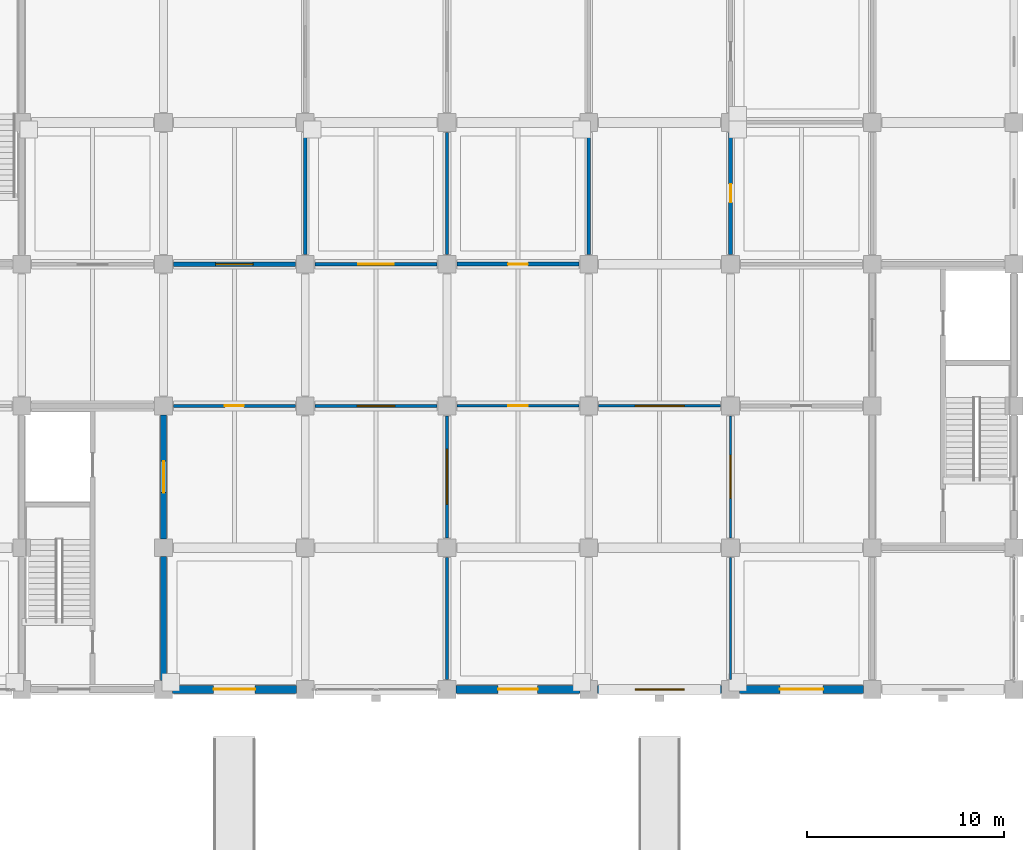
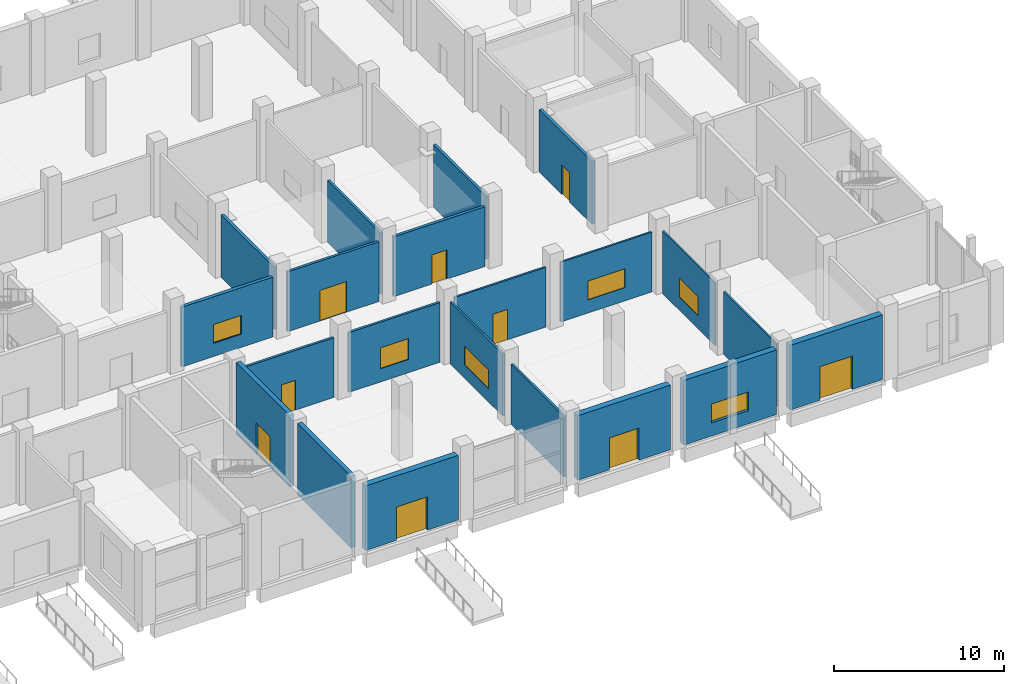
# One storey, part 50 of 70: 21 walls, 9 doors, 6 windows, 15 openings.
"""IFC4 building model written with IfcOpenShell, lengths in metres."""

from ifc_helpers import new_model, si_unit, direction, frame, frame_2d, origin, place, context, subcontext, project, spatial, rectangle, extrude, material, layer, layer_set, type_object, element, fill, save


model = new_model("IFC4")

# Units and contexts
model_context = context("Model", 3, precision=1e-05, world=origin(), true_north=direction((0.0, 1.0)))
body_context = subcontext(model_context, "Body", "Model", "MODEL_VIEW")
ifc_project = project(units=[si_unit("LENGTHUNIT", "METRE"), si_unit("AREAUNIT", "SQUARE_METRE"), si_unit("VOLUMEUNIT", "CUBIC_METRE"), si_unit("PLANEANGLEUNIT", "RADIAN"), si_unit("MASSUNIT", "GRAM", prefix="KILO")], contexts=[model_context])

# Site, building, storey
site_placement = place(None, origin())
site = spatial("IfcSite", under=ifc_project, at=site_placement, CompositionType="ELEMENT")
building_placement = place(site_placement, origin())
building = spatial("IfcBuilding", under=site, at=building_placement, Name="Vesperath Aquatics Centre", CompositionType="ELEMENT")
storey_placement = place(building_placement, origin())
storey = spatial("IfcBuildingStorey", under=building, at=storey_placement, Name="L00", CompositionType="ELEMENT", Elevation=0.0)

# Wall, opening, door
ifc_material_1 = material(Name="Liaoning grey granite ashlar insulated cavity wall", Category="masonry")
ifc_layer_1 = layer(ifc_material_1, 0.419921875)
ifc_layer_set_1 = layer_set([ifc_layer_1], Name="Liaoning grey granite ashlar insulated cavity wall")
wall_type_1 = type_object("IfcWallType", Name="WL-EW01", PredefinedType="SOLIDWALL", material=ifc_layer_set_1)
wall_1_placement = place(storey_placement, frame((130.050048828125, 0.0, 0.0), z_axis=(0.0, 0.0, 1.0), x_axis=(1.0, 0.0, 0.0)))
wall_1 = element("IfcWall", 1, at=wall_1_placement, inside=storey, type_object=wall_type_1, Name="Exterior Wall EW01 L00_S_18_00", PredefinedType="SOLIDWALL", context=body_context, shape_type="SweptSolid", body=[
    extrude(rectangle(XDim=6.300048828125, YDim=0.419921875, at=frame_2d((3.14990234375, 0.0))), origin(), (0.0, 0.0, 1.0), 4.639892578125),
])
opening_1_placement = place(wall_1_placement, frame((2.10009765625, 0.0, 0.0)))
opening_1 = element("IfcOpeningElement", 2, at=opening_1_placement, cuts=wall_1, Name="Opening EX02", PredefinedType="OPENING", context=body_context, shape_type="SweptSolid", body=[
    extrude(rectangle(XDim=2.10009765625, YDim=2.39990234375, at=frame_2d((1.050048828125, 1.199951171875))), frame((0.0, 0.224853515625, 0.0), z_axis=(0.0, -1.0, 0.0), x_axis=(1.0, 0.0, 0.0)), (0.0, 0.0, 1.0), 0.44970703125),
])
ifc_material_2 = material(Name="Thermally broken bronze-anodised glazed aluminium door", Category="aluminium")
door_type_1 = type_object("IfcDoorType", Name="DR-EX02", OperationType="DOUBLE_SWING_LEFT", PredefinedType="DOOR", material=ifc_material_2)
door_1_placement = place(opening_1_placement, frame((2.10009765625, 0.0, 0.0), z_axis=(0.0, 0.0, 1.0), x_axis=(-1.0, 0.0, 0.0)))
door_1 = element("IfcDoor", 3, at=door_1_placement, inside=storey, type_object=door_type_1, Name="Final Exit Door EX02 L00_S_18_00", OperationType="DOUBLE_SWING_LEFT", OverallHeight=2.39990234375, OverallWidth=2.10009765625, PredefinedType="DOOR", context=body_context, shape_type="SweptSolid", body=[
    extrude(rectangle(XDim=2.10009765625, YDim=2.39990234375, at=frame_2d((1.050048828125, 1.199951171875))), frame((0.0, 0.02490234375, 0.0), z_axis=(0.0, -1.0, 0.0), x_axis=(1.0, 0.0, 0.0)), (0.0, 0.0, 1.0), 0.050048828125),
])
fill(opening_1, door_1)

wall_2_placement = place(storey_placement, frame((144.449951171875, 0.0, 0.0), z_axis=(0.0, 0.0, 1.0), x_axis=(1.0, 0.0, 0.0)))
wall_2 = element("IfcWall", 4, at=wall_2_placement, inside=storey, type_object=wall_type_1, Name="Exterior Wall EW01 L00_S_20_00", PredefinedType="SOLIDWALL", context=body_context, shape_type="SweptSolid", body=[
    extrude(rectangle(XDim=6.300048828125, YDim=0.419921875, at=frame_2d((3.14990234375, 0.0))), origin(), (0.0, 0.0, 1.0), 4.639892578125),
])
opening_2_placement = place(wall_2_placement, frame((2.14990234375, 0.0, 0.0)))
opening_2 = element("IfcOpeningElement", 5, at=opening_2_placement, cuts=wall_2, Name="Opening EX03", PredefinedType="OPENING", context=body_context, shape_type="SweptSolid", body=[
    extrude(rectangle(XDim=2.0, YDim=2.300048828125, at=frame_2d((1.0, 1.14990234375))), frame((0.0, 0.224853515625, 0.0), z_axis=(0.0, -1.0, 0.0), x_axis=(1.0, 0.0, 0.0)), (0.0, 0.0, 1.0), 0.44970703125),
])
door_type_2 = type_object("IfcDoorType", Name="DR-EX03", OperationType="DOUBLE_SWING_LEFT", PredefinedType="DOOR", material=ifc_material_2)
door_2_placement = place(opening_2_placement, frame((2.0, 0.0, 0.0), z_axis=(0.0, 0.0, 1.0), x_axis=(-1.0, 0.0, 0.0)))
door_2 = element("IfcDoor", 6, at=door_2_placement, inside=storey, type_object=door_type_2, Name="Final Exit Door EX03 L00_S_20_00", OperationType="DOUBLE_SWING_LEFT", OverallHeight=2.300048828125, OverallWidth=2.0, PredefinedType="DOOR", context=body_context, shape_type="SweptSolid", body=[
    extrude(rectangle(XDim=2.0, YDim=2.300048828125, at=frame_2d((1.0, 1.14990234375))), frame((0.0, 0.02490234375, 0.0), z_axis=(0.0, -1.0, 0.0), x_axis=(1.0, 0.0, 0.0)), (0.0, 0.0, 1.0), 0.050048828125),
])
fill(opening_2, door_2)

# Wall, opening, window
wall_3_placement = place(storey_placement, frame((151.64990234375, 0.0, 0.0), z_axis=(0.0, 0.0, 1.0), x_axis=(1.0, 0.0, 0.0)))
wall_3 = element("IfcWall", 7, at=wall_3_placement, inside=storey, type_object=wall_type_1, Name="Exterior Wall EW01 L00_S_21_00", PredefinedType="SOLIDWALL", context=body_context, shape_type="SweptSolid", body=[
    extrude(rectangle(XDim=6.300048828125, YDim=0.419921875, at=frame_2d((3.14990234375, 0.0))), origin(), (0.0, 0.0, 1.0), 4.639892578125),
])
opening_3_placement = place(wall_3_placement, frame((1.89990234375, 0.0, 0.949951171875)))
opening_3 = element("IfcOpeningElement", 8, at=opening_3_placement, cuts=wall_3, Name="Opening W16", PredefinedType="OPENING", context=body_context, shape_type="SweptSolid", body=[
    extrude(rectangle(XDim=2.5, YDim=1.35009765625, at=frame_2d((1.25, 0.675048828125))), frame((0.0, 0.224853515625, 0.0), z_axis=(0.0, -1.0, 0.0), x_axis=(1.0, 0.0, 0.0)), (0.0, 0.0, 1.0), 0.44970703125),
])
ifc_material_3 = material(Name="Thermally broken aluminium triple-glazed window", Category="aluminium")
window_type_1 = type_object("IfcWindowType", Name="WN-W16", PartitioningType="SINGLE_PANEL", PredefinedType="WINDOW", material=ifc_material_3)
window_1_placement = place(opening_3_placement, origin())
window_1 = element("IfcWindow", 9, at=window_1_placement, inside=storey, type_object=window_type_1, Name="Deep-Reveal Casement Window W16 L00_S_21_00", OverallHeight=1.35009765625, OverallWidth=2.5, PartitioningType="SINGLE_PANEL", PredefinedType="WINDOW", context=body_context, shape_type="SweptSolid", body=[
    extrude(rectangle(XDim=2.5, YDim=1.35009765625, at=frame_2d((1.25, 0.675048828125))), frame((0.0, 0.030029296875, 0.0), z_axis=(0.0, -1.0, 0.0), x_axis=(1.0, 0.0, 0.0)), (0.0, 0.0, 1.0), 0.06005859375),
])
fill(opening_3, window_1)

# Wall, opening, door
wall_4_placement = place(storey_placement, frame((158.85009765625, 0.0, 0.0), z_axis=(0.0, 0.0, 1.0), x_axis=(1.0, 0.0, 0.0)))
wall_4 = element("IfcWall", 10, at=wall_4_placement, inside=storey, type_object=wall_type_1, Name="Exterior Wall EW01 L00_S_22_00", PredefinedType="SOLIDWALL", context=body_context, shape_type="SweptSolid", body=[
    extrude(rectangle(XDim=6.2998046875, YDim=0.419921875, at=frame_2d((3.14990234375, 0.0))), origin(), (0.0, 0.0, 1.0), 4.639892578125),
])
opening_4_placement = place(wall_4_placement, frame((2.050048828125, 0.0, 0.0)))
opening_4 = element("IfcOpeningElement", 11, at=opening_4_placement, cuts=wall_4, Name="Opening EX01", PredefinedType="OPENING", context=body_context, shape_type="SweptSolid", body=[
    extrude(rectangle(XDim=2.199951171875, YDim=2.39990234375, at=frame_2d((1.10009765625, 1.199951171875))), frame((0.0, 0.224853515625, 0.0), z_axis=(0.0, -1.0, 0.0), x_axis=(1.0, 0.0, 0.0)), (0.0, 0.0, 1.0), 0.44970703125),
])
door_type_3 = type_object("IfcDoorType", Name="DR-EX01", OperationType="DOUBLE_SWING_LEFT", PredefinedType="DOOR", material=ifc_material_2)
door_3_placement = place(opening_4_placement, frame((2.199951171875, 0.0, 0.0), z_axis=(0.0, 0.0, 1.0), x_axis=(-1.0, 0.0, 0.0)))
door_3 = element("IfcDoor", 12, at=door_3_placement, inside=storey, type_object=door_type_3, Name="Final Exit Door EX01 L00_S_22_00", OperationType="DOUBLE_SWING_LEFT", OverallHeight=2.39990234375, OverallWidth=2.199951171875, PredefinedType="DOOR", context=body_context, shape_type="SweptSolid", body=[
    extrude(rectangle(XDim=2.199951171875, YDim=2.39990234375, at=frame_2d((1.10009765625, 1.199951171875))), frame((0.0, 0.02490234375, 0.0), z_axis=(0.0, -1.0, 0.0), x_axis=(1.0, 0.0, 0.0)), (0.0, 0.0, 1.0), 0.050048828125),
])
fill(opening_4, door_3)

# Wall, opening, window
ifc_material_4 = material(Name="Autoclaved aerated masonry blockwork", Category="masonry")
ifc_layer_2 = layer(ifc_material_4, 0.22998046875)
ifc_layer_set_2 = layer_set([ifc_layer_2], Name="Autoclaved aerated masonry blockwork")
wall_type_2 = type_object("IfcWallType", Name="WL-FW01", PredefinedType="SOLIDWALL", material=ifc_layer_set_2)
wall_5_placement = place(storey_placement, frame((130.10009765625, 21.60009765625, 0.0), z_axis=(0.0, 0.0, 1.0), x_axis=(1.0, 0.0, 0.0)))
wall_5 = element("IfcWall", 13, at=wall_5_placement, inside=storey, type_object=wall_type_2, Name="Interior Partition FW01 L00_KITCH-S2", PredefinedType="SOLIDWALL", context=body_context, shape_type="SweptSolid", body=[
    extrude(rectangle(XDim=6.199951171875, YDim=0.22998046875, at=frame_2d((3.10009765625, 0.0))), origin(), (0.0, 0.0, 1.0), 4.2900390625),
])
opening_5_placement = place(wall_5_placement, frame((2.14990234375, 0.0, 0.949951171875)))
opening_5 = element("IfcOpeningElement", 14, at=opening_5_placement, cuts=wall_5, Name="Opening VW08", PredefinedType="OPENING", context=body_context, shape_type="SweptSolid", body=[
    extrude(rectangle(XDim=1.89990234375, YDim=1.35009765625, at=frame_2d((0.949951171875, 0.675048828125))), frame((0.0, 0.1298828125, 0.0), z_axis=(0.0, -1.0, 0.0), x_axis=(1.0, 0.0, 0.0)), (0.0, 0.0, 1.0), 0.259765625),
])
ifc_material_5 = material(Name="Acoustic laminated interior viewing glazing", Category="glass")
window_type_2 = type_object("IfcWindowType", Name="WN-IW08", PartitioningType="SINGLE_PANEL", PredefinedType="WINDOW", material=ifc_material_5)
window_2_placement = place(opening_5_placement, origin())
window_2 = element("IfcWindow", 15, at=window_2_placement, inside=storey, type_object=window_type_2, Name="Interior Viewing Window VW08 L00_KITCH", OverallHeight=1.35009765625, OverallWidth=1.89990234375, PartitioningType="SINGLE_PANEL", PredefinedType="WINDOW", context=body_context, shape_type="SweptSolid", body=[
    extrude(rectangle(XDim=1.89990234375, YDim=1.35009765625, at=frame_2d((0.949951171875, 0.675048828125))), frame((0.0, 0.030029296875, 0.0), z_axis=(0.0, -1.0, 0.0), x_axis=(1.0, 0.0, 0.0)), (0.0, 0.0, 1.0), 0.06005859375),
])
fill(opening_5, window_2)

# Wall, opening, door
ifc_material_6 = material(Name="Wet-village masonry block wall", Category="masonry")
ifc_layer_3 = layer(ifc_material_6, 0.199951171875)
ifc_layer_set_3 = layer_set([ifc_layer_3], Name="Wet-village masonry block wall")
wall_type_3 = type_object("IfcWallType", Name="WL-FW03", PredefinedType="SOLIDWALL", material=ifc_layer_set_3)
wall_6_placement = place(storey_placement, frame((158.39990234375, 22.10009765625, 0.0), z_axis=(0.0, 0.0, 1.0), x_axis=(0.0, 1.0, 0.0)))
wall_6 = element("IfcWall", 16, at=wall_6_placement, inside=storey, type_object=wall_type_3, Name="Interior Partition FW03 L00_MWC-W1", PredefinedType="SOLIDWALL", context=body_context, shape_type="SweptSolid", body=[
    extrude(rectangle(XDim=6.199951171875, YDim=0.199951171875, at=frame_2d((3.10009765625, 0.0))), origin(), (0.0, 0.0, 1.0), 4.489990234375),
])
opening_6_placement = place(wall_6_placement, frame((2.639892578125, 0.0, 0.0)))
opening_6 = element("IfcOpeningElement", 17, at=opening_6_placement, cuts=wall_6, Name="Opening D08", PredefinedType="OPENING", context=body_context, shape_type="SweptSolid", body=[
    extrude(rectangle(XDim=0.919921875, YDim=2.10009765625, at=frame_2d((0.4599609375, 1.050048828125))), frame((0.0, 0.11474609375, 0.0), z_axis=(0.0, -1.0, 0.0), x_axis=(1.0, 0.0, 0.0)), (0.0, 0.0, 1.0), 0.229736328125),
])
ifc_material_7 = material(Name="Moisture-resistant HPL washroom door", Category="wood")
door_type_4 = type_object("IfcDoorType", Name="DR-WC03", OperationType="NOTDEFINED", PredefinedType="DOOR", material=ifc_material_7)
door_4_placement = place(opening_6_placement, frame((0.919921875, 0.0, 0.0), z_axis=(0.0, 0.0, 1.0), x_axis=(-1.0, 0.0, 0.0)))
door_4 = element("IfcDoor", 18, at=door_4_placement, inside=storey, type_object=door_type_4, Name="Public Male WC L00 Door D08", OperationType="SINGLE_SWING_LEFT", OverallHeight=2.10009765625, OverallWidth=0.919921875, PredefinedType="DOOR", context=body_context, shape_type="SweptSolid", body=[
    extrude(rectangle(XDim=0.919921875, YDim=2.10009765625, at=frame_2d((0.4599609375, 1.050048828125))), frame((0.0, 0.02490234375, 0.0), z_axis=(0.0, -1.0, 0.0), x_axis=(1.0, 0.0, 0.0)), (0.0, 0.0, 1.0), 0.050048828125),
])
fill(opening_6, door_4)

wall_7_placement = place(storey_placement, frame((144.5, 21.60009765625, 0.0), z_axis=(0.0, 0.0, 1.0), x_axis=(1.0, 0.0, 0.0)))
wall_7 = element("IfcWall", 19, at=wall_7_placement, inside=storey, type_object=wall_type_3, Name="Interior Partition FW03 L00_AWC-S1", PredefinedType="SOLIDWALL", context=body_context, shape_type="SweptSolid", body=[
    extrude(rectangle(XDim=6.199951171875, YDim=0.199951171875, at=frame_2d((3.10009765625, 0.0))), origin(), (0.0, 0.0, 1.0), 4.2900390625),
])
opening_7_placement = place(wall_7_placement, frame((2.60009765625, 0.0, 0.0)))
opening_7 = element("IfcOpeningElement", 20, at=opening_7_placement, cuts=wall_7, Name="Opening D06", PredefinedType="OPENING", context=body_context, shape_type="SweptSolid", body=[
    extrude(rectangle(XDim=1.0, YDim=2.10009765625, at=frame_2d((0.5, 1.050048828125))), frame((0.0, 0.11474609375, 0.0), z_axis=(0.0, -1.0, 0.0), x_axis=(1.0, 0.0, 0.0)), (0.0, 0.0, 1.0), 0.229736328125),
])
ifc_material_8 = material(Name="Moisture-resistant HPL accessible toilet door", Category="wood")
door_type_5 = type_object("IfcDoorType", Name="DR-WC01", OperationType="NOTDEFINED", PredefinedType="DOOR", material=ifc_material_8)
door_5_placement = place(opening_7_placement, origin())
door_5 = element("IfcDoor", 21, at=door_5_placement, inside=storey, type_object=door_type_5, Name="Accessible WC L00 Door D06", OperationType="SINGLE_SWING_LEFT", OverallHeight=2.10009765625, OverallWidth=1.0, PredefinedType="DOOR", context=body_context, shape_type="SweptSolid", body=[
    extrude(rectangle(XDim=1.0, YDim=2.10009765625, at=frame_2d((0.5, 1.050048828125))), frame((0.0, 0.02490234375, 0.0), z_axis=(0.0, -1.0, 0.0), x_axis=(1.0, 0.0, 0.0)), (0.0, 0.0, 1.0), 0.050048828125),
])
fill(opening_7, door_5)

# Wall
ifc_material_9 = material(Name="Plant acoustic masonry wall", Category="masonry")
ifc_layer_4 = layer(ifc_material_9, 0.18994140625)
ifc_layer_set_4 = layer_set([ifc_layer_4], Name="Plant acoustic masonry wall")
wall_type_4 = type_object("IfcWallType", Name="WL-FW04", PredefinedType="SOLIDWALL", material=ifc_layer_set_4)
wall_8_placement = place(storey_placement, frame((136.800048828125, 22.10009765625, 0.0), z_axis=(0.0, 0.0, 1.0), x_axis=(0.0, 1.0, 0.0)))
element("IfcWall", 22, at=wall_8_placement, inside=storey, type_object=wall_type_4, Name="Interior Partition FW04 L00_KITCH-E1", PredefinedType="SOLIDWALL", context=body_context, shape_type="SweptSolid", body=[
    extrude(rectangle(XDim=6.199951171875, YDim=0.18994140625, at=frame_2d((3.10009765625, 0.0))), origin(), (0.0, 0.0, 1.0), 4.489990234375),
])

# Wall, opening, door
ifc_material_10 = material(Name="Moisture-resistant tiled wet partition", Category="gypsum")
ifc_layer_5 = layer(ifc_material_10, 0.175048828125)
ifc_layer_set_5 = layer_set([ifc_layer_5], Name="Moisture-resistant tiled wet partition")
wall_type_5 = type_object("IfcWallType", Name="WL-IW02", PredefinedType="PARTITIONING", material=ifc_layer_set_5)
wall_9_placement = place(storey_placement, frame((137.300048828125, 21.60009765625, 0.0), z_axis=(0.0, 0.0, 1.0), x_axis=(1.0, 0.0, 0.0)))
wall_9 = element("IfcWall", 23, at=wall_9_placement, inside=storey, type_object=wall_type_5, Name="Interior Partition IW02 L00_CLUB_REC-S1", PredefinedType="PARTITIONING", context=body_context, shape_type="SweptSolid", body=[
    extrude(rectangle(XDim=6.199951171875, YDim=0.175048828125, at=frame_2d((3.10009765625, 0.0))), origin(), (0.0, 0.0, 1.0), 4.2900390625),
])
opening_8_placement = place(wall_9_placement, frame((2.199951171875, 0.0, 0.0)))
opening_8 = element("IfcOpeningElement", 24, at=opening_8_placement, cuts=wall_9, Name="Opening D03", PredefinedType="OPENING", context=body_context, shape_type="SweptSolid", body=[
    extrude(rectangle(XDim=1.800048828125, YDim=2.199951171875, at=frame_2d((0.89990234375, 1.10009765625))), frame((0.0, 0.1025390625, 0.0), z_axis=(0.0, -1.0, 0.0), x_axis=(1.0, 0.0, 0.0)), (0.0, 0.0, 1.0), 0.204833984375),
])
ifc_material_11 = material(Name="Corridor smoke-control double fire door", Category="steel")
door_type_6 = type_object("IfcDoorType", Name="DR-FD03", OperationType="DOUBLE_SWING_LEFT", PredefinedType="DOOR", material=ifc_material_11)
door_6_placement = place(opening_8_placement, origin())
door_6 = element("IfcDoor", 25, at=door_6_placement, inside=storey, type_object=door_type_6, Name="Fitness and Swim Academy Reception Door D03", OperationType="DOUBLE_SWING_LEFT", OverallHeight=2.199951171875, OverallWidth=1.800048828125, PredefinedType="DOOR", context=body_context, shape_type="SweptSolid", body=[
    extrude(rectangle(XDim=1.800048828125, YDim=2.199951171875, at=frame_2d((0.89990234375, 1.10009765625))), frame((0.0, 0.02490234375, 0.0), z_axis=(0.0, -1.0, 0.0), x_axis=(1.0, 0.0, 0.0)), (0.0, 0.0, 1.0), 0.050048828125),
])
fill(opening_8, door_6)

# Wall
wall_10_placement = place(storey_placement, frame((151.199951171875, 22.10009765625, 0.0), z_axis=(0.0, 0.0, 1.0), x_axis=(0.0, 1.0, 0.0)))
element("IfcWall", 26, at=wall_10_placement, inside=storey, type_object=wall_type_5, Name="Interior Partition IW02 L00_AWC-E1", PredefinedType="PARTITIONING", context=body_context, shape_type="SweptSolid", body=[
    extrude(rectangle(XDim=6.199951171875, YDim=0.175048828125, at=frame_2d((3.10009765625, 0.0))), origin(), (0.0, 0.0, 1.0), 4.489990234375),
])

# Wall, opening, door
ifc_material_12 = material(Name="Clinic acoustic partition", Category="gypsum")
ifc_layer_6 = layer(ifc_material_12, 0.159912109375)
ifc_layer_set_6 = layer_set([ifc_layer_6], Name="Clinic acoustic partition")
wall_type_6 = type_object("IfcWallType", Name="WL-IW04", PredefinedType="PARTITIONING", material=ifc_layer_set_6)
wall_11_placement = place(storey_placement, frame((130.10009765625, 14.39990234375, 0.0), z_axis=(0.0, 0.0, 1.0), x_axis=(1.0, 0.0, 0.0)))
wall_11 = element("IfcWall", 27, at=wall_11_placement, inside=storey, type_object=wall_type_6, Name="Interior Partition IW04 L00_CAFE_S-N1", PredefinedType="PARTITIONING", context=body_context, shape_type="SweptSolid", body=[
    extrude(rectangle(XDim=6.199951171875, YDim=0.159912109375, at=frame_2d((3.10009765625, 0.0))), origin(), (0.0, 0.0, 1.0), 4.2900390625),
])
opening_9_placement = place(wall_11_placement, frame((2.6201171875, 0.0, 0.0)))
opening_9 = element("IfcOpeningElement", 28, at=opening_9_placement, cuts=wall_11, Name="Opening D28", PredefinedType="OPENING", context=body_context, shape_type="SweptSolid", body=[
    extrude(rectangle(XDim=0.9599609375, YDim=2.14990234375, at=frame_2d((0.47998046875, 1.074951171875))), frame((0.0, 0.0947265625, 0.0), z_axis=(0.0, -1.0, 0.0), x_axis=(1.0, 0.0, 0.0)), (0.0, 0.0, 1.0), 0.189697265625),
])
ifc_material_13 = material(Name="Dietitian consultation oak door", Category="wood")
door_type_7 = type_object("IfcDoorType", Name="DR-RM20", OperationType="NOTDEFINED", PredefinedType="DOOR", material=ifc_material_13)
door_7_placement = place(opening_9_placement, frame((0.9599609375, 0.0, 0.0), z_axis=(0.0, 0.0, 1.0), x_axis=(-1.0, 0.0, 0.0)))
door_7 = element("IfcDoor", 29, at=door_7_placement, inside=storey, type_object=door_type_7, Name="Conservatory Cafe Seating Lounge Door D28", OperationType="SINGLE_SWING_LEFT", OverallHeight=2.14990234375, OverallWidth=0.9599609375, PredefinedType="DOOR", context=body_context, shape_type="SweptSolid", body=[
    extrude(rectangle(XDim=0.9599609375, YDim=2.14990234375, at=frame_2d((0.47998046875, 1.074951171875))), frame((0.0, 0.02490234375, 0.0), z_axis=(0.0, -1.0, 0.0), x_axis=(1.0, 0.0, 0.0)), (0.0, 0.0, 1.0), 0.050048828125),
])
fill(opening_9, door_7)

# Wall
wall_12_placement = place(storey_placement, frame((144.0, 22.10009765625, 0.0), z_axis=(0.0, 0.0, 1.0), x_axis=(0.0, 1.0, 0.0)))
element("IfcWall", 30, at=wall_12_placement, inside=storey, type_object=wall_type_6, Name="Interior Partition IW04 L00_CLUB_REC-E1", PredefinedType="PARTITIONING", context=body_context, shape_type="SweptSolid", body=[
    extrude(rectangle(XDim=6.199951171875, YDim=0.159912109375, at=frame_2d((3.10009765625, 0.0))), origin(), (0.0, 0.0, 1.0), 4.43994140625),
])

# Wall, opening, window
ifc_material_14 = material(Name="Laboratory clean partition", Category="gypsum")
ifc_layer_7 = layer(ifc_material_14, 0.152099609375)
ifc_layer_set_7 = layer_set([ifc_layer_7], Name="Laboratory clean partition")
wall_type_7 = type_object("IfcWallType", Name="WL-IW05", PredefinedType="PARTITIONING", material=ifc_layer_set_7)
wall_13_placement = place(storey_placement, frame((137.300048828125, 14.39990234375, 0.0), z_axis=(0.0, 0.0, 1.0), x_axis=(1.0, 0.0, 0.0)))
wall_13 = element("IfcWall", 31, at=wall_13_placement, inside=storey, type_object=wall_type_7, Name="Interior Partition IW05 L00_CAFE_S-N2", PredefinedType="PARTITIONING", context=body_context, shape_type="SweptSolid", body=[
    extrude(rectangle(XDim=6.199951171875, YDim=0.152099609375, at=frame_2d((3.10009765625, 0.0))), origin(), (0.0, 0.0, 1.0), 4.2900390625),
])
opening_10_placement = place(wall_13_placement, frame((2.14990234375, 0.0, 0.949951171875)))
opening_10 = element("IfcOpeningElement", 32, at=opening_10_placement, cuts=wall_13, Name="Opening VW04", PredefinedType="OPENING", context=body_context, shape_type="SweptSolid", body=[
    extrude(rectangle(XDim=1.89990234375, YDim=1.5, at=frame_2d((0.949951171875, 0.75))), frame((0.0, 0.0908203125, 0.0), z_axis=(0.0, -1.0, 0.0), x_axis=(1.0, 0.0, 0.0)), (0.0, 0.0, 1.0), 0.181884765625),
])
window_type_3 = type_object("IfcWindowType", Name="WN-IW04", PartitioningType="SINGLE_PANEL", PredefinedType="WINDOW", material=ifc_material_5)
window_3_placement = place(opening_10_placement, origin())
window_3 = element("IfcWindow", 33, at=window_3_placement, inside=storey, type_object=window_type_3, Name="Interior Viewing Window VW04 L00_CAFE_S", OverallHeight=1.5, OverallWidth=1.89990234375, PartitioningType="SINGLE_PANEL", PredefinedType="WINDOW", context=body_context, shape_type="SweptSolid", body=[
    extrude(rectangle(XDim=1.89990234375, YDim=1.5, at=frame_2d((0.949951171875, 0.75))), frame((0.0, 0.030029296875, 0.0), z_axis=(0.0, -1.0, 0.0), x_axis=(1.0, 0.0, 0.0)), (0.0, 0.0, 1.0), 0.06005859375),
])
fill(opening_10, window_3)

# Wall
ifc_material_15 = material(Name="Classroom acoustic partition", Category="gypsum")
ifc_layer_8 = layer(ifc_material_15, 0.14501953125)
ifc_layer_set_8 = layer_set([ifc_layer_8], Name="Classroom acoustic partition")
wall_type_8 = type_object("IfcWallType", Name="WL-IW06", PredefinedType="PARTITIONING", material=ifc_layer_set_8)
wall_14_placement = place(storey_placement, frame((144.0, 0.5, 0.0), z_axis=(0.0, 0.0, 1.0), x_axis=(0.0, 1.0, 0.0)))
element("IfcWall", 34, at=wall_14_placement, inside=storey, type_object=wall_type_8, Name="Interior Partition IW06 L00_CAFE_S-E1", PredefinedType="PARTITIONING", context=body_context, shape_type="SweptSolid", body=[
    extrude(rectangle(XDim=6.199951171875, YDim=0.14501953125, at=frame_2d((3.10009765625, 0.0))), origin(), (0.0, 0.0, 1.0), 4.340087890625),
])

# Wall, opening, window
ifc_material_16 = material(Name="Changing cubicle masonry-backed partition", Category="masonry")
ifc_layer_9 = layer(ifc_material_16, 0.137939453125)
ifc_layer_set_9 = layer_set([ifc_layer_9], Name="Changing cubicle masonry-backed partition")
wall_type_9 = type_object("IfcWallType", Name="WL-IW07", PredefinedType="PARTITIONING", material=ifc_layer_set_9)
wall_15_placement = place(storey_placement, frame((144.0, 7.699951171875, 0.0), z_axis=(0.0, 0.0, 1.0), x_axis=(0.0, 1.0, 0.0)))
wall_15 = element("IfcWall", 35, at=wall_15_placement, inside=storey, type_object=wall_type_9, Name="Interior Partition IW07 L00_CAFE_S-E2", PredefinedType="PARTITIONING", context=body_context, shape_type="SweptSolid", body=[
    extrude(rectangle(XDim=6.199951171875, YDim=0.137939453125, at=frame_2d((3.10009765625, 0.0))), origin(), (0.0, 0.0, 1.0), 4.43994140625),
])
opening_11_placement = place(wall_15_placement, frame((1.699951171875, 0.0, 0.949951171875)))
opening_11 = element("IfcOpeningElement", 36, at=opening_11_placement, cuts=wall_15, Name="Opening VW05", PredefinedType="OPENING", context=body_context, shape_type="SweptSolid", body=[
    extrude(rectangle(XDim=2.800048828125, YDim=1.35009765625, at=frame_2d((1.39990234375, 0.675048828125))), frame((0.0, 0.083984375, 0.0), z_axis=(0.0, -1.0, 0.0), x_axis=(1.0, 0.0, 0.0)), (0.0, 0.0, 1.0), 0.167724609375),
])
window_type_4 = type_object("IfcWindowType", Name="WN-IW05", PartitioningType="SINGLE_PANEL", PredefinedType="WINDOW", material=ifc_material_5)
window_4_placement = place(opening_11_placement, origin())
window_4 = element("IfcWindow", 37, at=window_4_placement, inside=storey, type_object=window_type_4, Name="Interior Viewing Window VW05 L00_CAFE_S", OverallHeight=1.35009765625, OverallWidth=2.800048828125, PartitioningType="SINGLE_PANEL", PredefinedType="WINDOW", context=body_context, shape_type="SweptSolid", body=[
    extrude(rectangle(XDim=2.800048828125, YDim=1.35009765625, at=frame_2d((1.39990234375, 0.675048828125))), frame((0.0, 0.030029296875, 0.0), z_axis=(0.0, -1.0, 0.0), x_axis=(1.0, 0.0, 0.0)), (0.0, 0.0, 1.0), 0.06005859375),
])
fill(opening_11, window_4)

# Wall, opening, door
ifc_material_17 = material(Name="Sanitary plumbing wall", Category="gypsum")
ifc_layer_10 = layer(ifc_material_17, 0.1298828125)
ifc_layer_set_10 = layer_set([ifc_layer_10], Name="Sanitary plumbing wall")
wall_type_10 = type_object("IfcWallType", Name="WL-IW08", PredefinedType="PARTITIONING", material=ifc_layer_set_10)
wall_16_placement = place(storey_placement, frame((144.5, 14.39990234375, 0.0), z_axis=(0.0, 0.0, 1.0), x_axis=(1.0, 0.0, 0.0)))
wall_16 = element("IfcWall", 38, at=wall_16_placement, inside=storey, type_object=wall_type_10, Name="Interior Partition IW08 L00_SHOP-N1", PredefinedType="PARTITIONING", context=body_context, shape_type="SweptSolid", body=[
    extrude(rectangle(XDim=6.199951171875, YDim=0.1298828125, at=frame_2d((3.10009765625, 0.0))), origin(), (0.0, 0.0, 1.0), 4.2900390625),
])
opening_12_placement = place(wall_16_placement, frame((2.60009765625, 0.0, 0.0)))
opening_12 = element("IfcOpeningElement", 39, at=opening_12_placement, cuts=wall_16, Name="Opening D29", PredefinedType="OPENING", context=body_context, shape_type="SweptSolid", body=[
    extrude(rectangle(XDim=1.0, YDim=2.179931640625, at=frame_2d((0.5, 1.08984375))), frame((0.0, 0.079833984375, 0.0), z_axis=(0.0, -1.0, 0.0), x_axis=(1.0, 0.0, 0.0)), (0.0, 0.0, 1.0), 0.15966796875),
])
ifc_material_18 = material(Name="Doping control security door", Category="steel")
door_type_8 = type_object("IfcDoorType", Name="DR-RM21", OperationType="NOTDEFINED", PredefinedType="DOOR", material=ifc_material_18)
door_8_placement = place(opening_12_placement, frame((1.0, 0.0, 0.0), z_axis=(0.0, 0.0, 1.0), x_axis=(-1.0, 0.0, 0.0)))
door_8 = element("IfcDoor", 40, at=door_8_placement, inside=storey, type_object=door_type_8, Name="Swimwear and Aquatics Equipment Shop Door D29", OperationType="SINGLE_SWING_RIGHT", OverallHeight=2.179931640625, OverallWidth=1.0, PredefinedType="DOOR", context=body_context, shape_type="SweptSolid", body=[
    extrude(rectangle(XDim=1.0, YDim=2.179931640625, at=frame_2d((0.5, 1.08984375))), frame((0.0, 0.02490234375, 0.0), z_axis=(0.0, -1.0, 0.0), x_axis=(1.0, 0.0, 0.0)), (0.0, 0.0, 1.0), 0.050048828125),
])
fill(opening_12, door_8)

# Wall, opening, window
ifc_material_19 = material(Name="Office dry-lined partition", Category="gypsum")
ifc_layer_11 = layer(ifc_material_19, 0.1220703125)
ifc_layer_set_11 = layer_set([ifc_layer_11], Name="Office dry-lined partition")
wall_type_11 = type_object("IfcWallType", Name="WL-IW09", PredefinedType="PARTITIONING", material=ifc_layer_set_11)
wall_17_placement = place(storey_placement, frame((151.699951171875, 14.39990234375, 0.0), z_axis=(0.0, 0.0, 1.0), x_axis=(1.0, 0.0, 0.0)))
wall_17 = element("IfcWall", 41, at=wall_17_placement, inside=storey, type_object=wall_type_11, Name="Interior Partition IW09 L00_SHOP-N2", PredefinedType="PARTITIONING", context=body_context, shape_type="SweptSolid", body=[
    extrude(rectangle(XDim=6.199951171875, YDim=0.1220703125, at=frame_2d((3.10009765625, 0.0))), origin(), (0.0, 0.0, 1.0), 4.2900390625),
])
opening_13_placement = place(wall_17_placement, frame((1.85009765625, 0.0, 0.949951171875)))
opening_13 = element("IfcOpeningElement", 42, at=opening_13_placement, cuts=wall_17, Name="Opening VW06", PredefinedType="OPENING", context=body_context, shape_type="SweptSolid", body=[
    extrude(rectangle(XDim=2.5, YDim=1.35009765625, at=frame_2d((1.25, 0.675048828125))), frame((0.0, 0.075927734375, 0.0), z_axis=(0.0, -1.0, 0.0), x_axis=(1.0, 0.0, 0.0)), (0.0, 0.0, 1.0), 0.15185546875),
])
window_type_5 = type_object("IfcWindowType", Name="WN-IW06", PartitioningType="SINGLE_PANEL", PredefinedType="WINDOW", material=ifc_material_5)
window_5_placement = place(opening_13_placement, origin())
window_5 = element("IfcWindow", 43, at=window_5_placement, inside=storey, type_object=window_type_5, Name="Interior Viewing Window VW06 L00_SHOP", OverallHeight=1.35009765625, OverallWidth=2.5, PartitioningType="SINGLE_PANEL", PredefinedType="WINDOW", context=body_context, shape_type="SweptSolid", body=[
    extrude(rectangle(XDim=2.5, YDim=1.35009765625, at=frame_2d((1.25, 0.675048828125))), frame((0.0, 0.030029296875, 0.0), z_axis=(0.0, -1.0, 0.0), x_axis=(1.0, 0.0, 0.0)), (0.0, 0.0, 1.0), 0.06005859375),
])
fill(opening_13, window_5)

# Wall
ifc_material_20 = material(Name="Store dry-lined partition", Category="gypsum")
ifc_layer_12 = layer(ifc_material_20, 0.114990234375)
ifc_layer_set_12 = layer_set([ifc_layer_12], Name="Store dry-lined partition")
wall_type_12 = type_object("IfcWallType", Name="WL-IW10", PredefinedType="PARTITIONING", material=ifc_layer_set_12)
wall_18_placement = place(storey_placement, frame((158.39990234375, 0.5, 0.0), z_axis=(0.0, 0.0, 1.0), x_axis=(0.0, 1.0, 0.0)))
element("IfcWall", 44, at=wall_18_placement, inside=storey, type_object=wall_type_12, Name="Interior Partition IW10 L00_SHOP-E1", PredefinedType="PARTITIONING", context=body_context, shape_type="SweptSolid", body=[
    extrude(rectangle(XDim=6.199951171875, YDim=0.114990234375, at=frame_2d((3.10009765625, 0.0))), origin(), (0.0, 0.0, 1.0), 4.489990234375),
])

# Wall, opening, window
ifc_material_21 = material(Name="Kiosk counter partition", Category="gypsum")
ifc_layer_13 = layer(ifc_material_21, 0.10791015625)
ifc_layer_set_13 = layer_set([ifc_layer_13], Name="Kiosk counter partition")
wall_type_13 = type_object("IfcWallType", Name="WL-IW11", PredefinedType="PARTITIONING", material=ifc_layer_set_13)
wall_19_placement = place(storey_placement, frame((158.39990234375, 7.699951171875, 0.0), z_axis=(0.0, 0.0, 1.0), x_axis=(0.0, 1.0, 0.0)))
wall_19 = element("IfcWall", 45, at=wall_19_placement, inside=storey, type_object=wall_type_13, Name="Interior Partition IW11 L00_SHOP-E2", PredefinedType="PARTITIONING", context=body_context, shape_type="SweptSolid", body=[
    extrude(rectangle(XDim=6.199951171875, YDim=0.10791015625, at=frame_2d((3.10009765625, 0.0))), origin(), (0.0, 0.0, 1.0), 4.489990234375),
])
opening_14_placement = place(wall_19_placement, frame((2.0, 0.0, 0.949951171875)))
opening_14 = element("IfcOpeningElement", 46, at=opening_14_placement, cuts=wall_19, Name="Opening VW07", PredefinedType="OPENING", context=body_context, shape_type="SweptSolid", body=[
    extrude(rectangle(XDim=2.199951171875, YDim=1.35009765625, at=frame_2d((1.10009765625, 0.675048828125))), frame((0.0, 0.06884765625, 0.0), z_axis=(0.0, -1.0, 0.0), x_axis=(1.0, 0.0, 0.0)), (0.0, 0.0, 1.0), 0.1376953125),
])
window_type_6 = type_object("IfcWindowType", Name="WN-IW07", PartitioningType="SINGLE_PANEL", PredefinedType="WINDOW", material=ifc_material_5)
window_6_placement = place(opening_14_placement, origin())
window_6 = element("IfcWindow", 47, at=window_6_placement, inside=storey, type_object=window_type_6, Name="Interior Viewing Window VW07 L00_SHOP", OverallHeight=1.35009765625, OverallWidth=2.199951171875, PartitioningType="SINGLE_PANEL", PredefinedType="WINDOW", context=body_context, shape_type="SweptSolid", body=[
    extrude(rectangle(XDim=2.199951171875, YDim=1.35009765625, at=frame_2d((1.10009765625, 0.675048828125))), frame((0.0, 0.030029296875, 0.0), z_axis=(0.0, -1.0, 0.0), x_axis=(1.0, 0.0, 0.0)), (0.0, 0.0, 1.0), 0.06005859375),
])
fill(opening_14, window_6)

# Wall
ifc_material_22 = material(Name="Concrete C40", Category="concrete")
ifc_layer_14 = layer(ifc_material_22, 0.300048828125)
ifc_layer_set_14 = layer_set([ifc_layer_14], Name="Concrete C40")
wall_type_14 = type_object("IfcWallType", Name="WL-SW01", PredefinedType="SHEAR", material=ifc_layer_set_14)
wall_20_placement = place(storey_placement, frame((129.60009765625, 0.449951171875, 0.0), z_axis=(0.0, 0.0, 1.0), x_axis=(0.0, 1.0, 0.0)))
element("IfcWall", 48, at=wall_20_placement, inside=storey, type_object=wall_type_14, Name="Core C5 East-1 Shear Wall SW01 L00", PredefinedType="SHEAR", context=body_context, shape_type="SweptSolid", body=[
    extrude(rectangle(XDim=6.300048828125, YDim=0.300048828125, at=frame_2d((3.14990234375, 0.0))), origin(), (0.0, 0.0, 1.0), 5.139892578125),
])

# Wall, opening, door
wall_21_placement = place(storey_placement, frame((129.60009765625, 7.64990234375, 0.0), z_axis=(0.0, 0.0, 1.0), x_axis=(0.0, 1.0, 0.0)))
wall_21 = element("IfcWall", 49, at=wall_21_placement, inside=storey, type_object=wall_type_14, Name="Core C5 East-2 Shear Wall SW01 L00", PredefinedType="SHEAR", context=body_context, shape_type="SweptSolid", body=[
    extrude(rectangle(XDim=6.300048828125, YDim=0.300048828125, at=frame_2d((3.14990234375, 0.0))), origin(), (0.0, 0.0, 1.0), 5.139892578125),
])
opening_15_placement = place(wall_21_placement, frame((2.35009765625, 0.0, 0.0)))
opening_15 = element("IfcOpeningElement", 50, at=opening_15_placement, cuts=wall_21, Name="Opening D02", PredefinedType="OPENING", context=body_context, shape_type="SweptSolid", body=[
    extrude(rectangle(XDim=1.60009765625, YDim=2.199951171875, at=frame_2d((0.800048828125, 1.10009765625))), frame((0.0, 0.1650390625, 0.0), z_axis=(0.0, -1.0, 0.0), x_axis=(1.0, 0.0, 0.0)), (0.0, 0.0, 1.0), 0.329833984375),
])
ifc_material_23 = material(Name="Glazed fire-rated lobby double door", Category="steel")
door_type_9 = type_object("IfcDoorType", Name="DR-FD02", OperationType="DOUBLE_SWING_LEFT", PredefinedType="DOOR", material=ifc_material_23)
door_9_placement = place(opening_15_placement, frame((1.60009765625, 0.0, 0.0), z_axis=(0.0, 0.0, 1.0), x_axis=(-1.0, 0.0, 0.0)))
door_9 = element("IfcDoor", 51, at=door_9_placement, inside=storey, type_object=door_type_9, Name="Core C5 Lobby Fire Door D02 L00", OperationType="DOUBLE_SWING_LEFT", OverallHeight=2.199951171875, OverallWidth=1.60009765625, PredefinedType="DOOR", context=body_context, shape_type="SweptSolid", body=[
    extrude(rectangle(XDim=1.60009765625, YDim=2.199951171875, at=frame_2d((0.800048828125, 1.10009765625))), frame((0.0, 0.02490234375, 0.0), z_axis=(0.0, -1.0, 0.0), x_axis=(1.0, 0.0, 0.0)), (0.0, 0.0, 1.0), 0.050048828125),
])
fill(opening_15, door_9)

save(model, "model.ifc")
